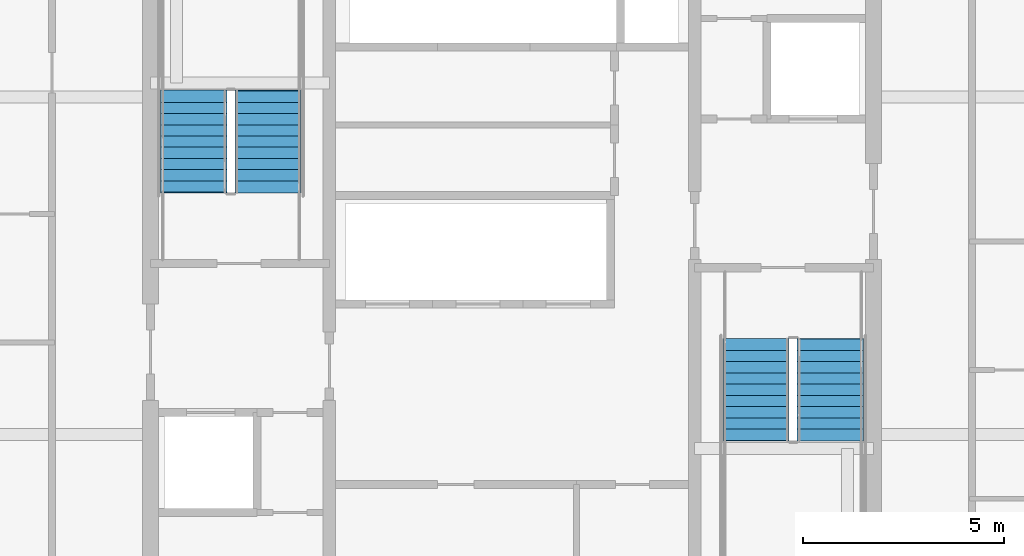
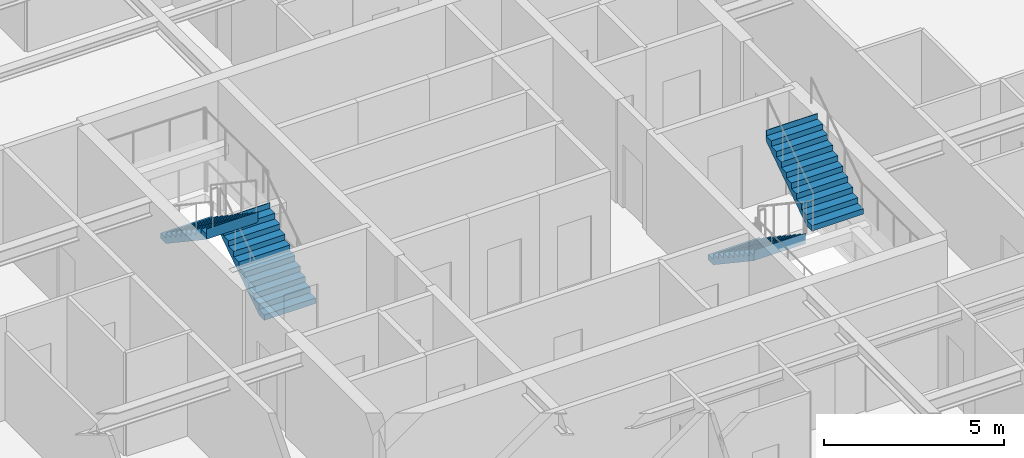
# One storey, part 29 of 34: 4 stair flights, 2 elements without a shape of their own.
"""IFC4 building model written with IfcOpenShell, lengths in metres."""

from ifc_helpers import new_model, si_unit, direction, frame, origin, place, context, subcontext, project, spatial, polygons, material, type_object, element, aggregate, save


model = new_model("IFC4")

# Units and contexts
model_context = context("Model", 3, precision=1e-05, world=origin(), true_north=direction((0.0, 1.0)))
body_context = subcontext(model_context, "Body", "Model", "MODEL_VIEW")
ifc_project = project(units=[si_unit("LENGTHUNIT", "METRE"), si_unit("AREAUNIT", "SQUARE_METRE"), si_unit("VOLUMEUNIT", "CUBIC_METRE"), si_unit("PLANEANGLEUNIT", "RADIAN"), si_unit("MASSUNIT", "GRAM", prefix="KILO")], contexts=[model_context])

# Site, building, storey
site_placement = place(None, origin())
site = spatial("IfcSite", under=ifc_project, at=site_placement, CompositionType="ELEMENT")
building_placement = place(site_placement, origin())
building = spatial("IfcBuilding", under=site, at=building_placement, Name="Serunith Strait Residences", CompositionType="ELEMENT")
storey_placement = place(building_placement, frame((0.0, 0.0, 135.14990234375)))
storey = spatial("IfcBuildingStorey", under=building, at=storey_placement, Name="L33", CompositionType="ELEMENT", Elevation=135.14990234375)

# Stair, stair flights
ifc_material = material(Name="Concrete C50/60", Category="concrete")
stair_type_1 = type_object("IfcStairType", Name="STR-CORE-1", PredefinedType="HALF_TURN_STAIR", material=ifc_material)
stair_1_placement = place(storey_placement, origin())
stair_1 = element("IfcStair", 1, at=stair_1_placement, inside=storey, type_object=stair_type_1, Name="L33 Protected Escape Stair ST-1", PredefinedType="HALF_TURN_STAIR")
stair_flight_type_1 = type_object("IfcStairFlightType", Name="FLT-CORE-1", PredefinedType="STRAIGHT", material=ifc_material)
stair_flight_1_placement = place(storey_placement, frame((26.324951171875, 27.030029296875, 0.0), z_axis=(0.0, 0.0, 1.0), x_axis=(0.0, 1.0, 0.0)))
stair_flight_1 = element("IfcStairFlight", 2, at=stair_flight_1_placement, type_object=stair_flight_type_1, Name="ST-1 flight 1", NumberOfRisers=10, NumberOfTreads=9, PredefinedType="STRAIGHT", RiserHeight=0.1875, TreadLength=0.28, context=body_context, shape_type="Tessellation", body=[
    polygons([(-0.02001953125, -0.824951171875, 0.0), (-0.02001953125, -0.824951171875, 0.1875), (0.280029296875, -0.824951171875, 0.1875), (0.280029296875, -0.824951171875, 0.375), (0.56005859375, -0.824951171875, 0.375), (0.56005859375, -0.824951171875, 0.5625), (0.840087890625, -0.824951171875, 0.5625), (0.840087890625, -0.824951171875, 0.75), (1.1201171875, -0.824951171875, 0.75), (1.1201171875, -0.824951171875, 0.9375), (1.39990234375, -0.824951171875, 0.9375), (1.39990234375, -0.824951171875, 1.125), (1.679931640625, -0.824951171875, 1.125), (1.679931640625, -0.824951171875, 1.3125), (1.9599609375, -0.824951171875, 1.3125), (1.9599609375, -0.824951171875, 1.5), (2.239990234375, -0.824951171875, 1.5), (2.239990234375, -0.824951171875, 1.6875), (2.52001953125, -0.824951171875, 1.6875), (2.52001953125, -0.824951171875, 1.875), (2.5400390625, -0.824951171875, 1.875), (2.5400390625, -0.824951171875, 1.81494140625), (2.52001953125, -0.824951171875, 1.507080078125), (0.26953125, -0.824951171875, 0.0), (-0.02001953125, -0.41259765625, 0.0), (-0.02001953125, -0.41259765625, 0.1875), (0.280029296875, -0.41259765625, 0.1875), (0.280029296875, -0.41259765625, 0.375), (0.56005859375, -0.41259765625, 0.375), (0.56005859375, -0.41259765625, 0.5625), (0.840087890625, -0.41259765625, 0.5625), (0.840087890625, -0.41259765625, 0.75), (1.1201171875, -0.41259765625, 0.75), (1.1201171875, -0.41259765625, 0.9375), (1.39990234375, -0.41259765625, 0.9375), (1.39990234375, -0.41259765625, 1.125), (1.679931640625, -0.41259765625, 1.125), (1.679931640625, -0.41259765625, 1.3125), (1.9599609375, -0.41259765625, 1.3125), (1.9599609375, -0.41259765625, 1.5), (2.239990234375, -0.41259765625, 1.5), (2.239990234375, -0.41259765625, 1.6875), (2.52001953125, -0.41259765625, 1.6875), (2.52001953125, -0.41259765625, 1.875), (2.5400390625, -0.41259765625, 1.875), (2.5400390625, -0.41259765625, 1.81494140625), (2.52001953125, -0.41259765625, 1.507080078125), (0.26953125, -0.41259765625, 0.0), (-0.02001953125, 0.0, 0.0), (-0.02001953125, 0.0, 0.1875), (0.280029296875, 0.0, 0.1875), (0.280029296875, 0.0, 0.375), (0.56005859375, 0.0, 0.375), (0.56005859375, 0.0, 0.5625), (0.840087890625, 0.0, 0.5625), (0.840087890625, 0.0, 0.75), (1.1201171875, 0.0, 0.75), (1.1201171875, 0.0, 0.9375), (1.39990234375, 0.0, 0.9375), (1.39990234375, 0.0, 1.125), (1.679931640625, 0.0, 1.125), (1.679931640625, 0.0, 1.3125), (1.9599609375, 0.0, 1.3125), (1.9599609375, 0.0, 1.5), (2.239990234375, 0.0, 1.5), (2.239990234375, 0.0, 1.6875), (2.52001953125, 0.0, 1.6875), (2.52001953125, 0.0, 1.875), (2.5400390625, 0.0, 1.875), (2.5400390625, 0.0, 1.81494140625), (2.52001953125, 0.0, 1.507080078125), (0.26953125, 0.0, 0.0), (-0.02001953125, 0.41259765625, 0.0), (-0.02001953125, 0.41259765625, 0.1875), (0.280029296875, 0.41259765625, 0.1875), (0.280029296875, 0.41259765625, 0.375), (0.56005859375, 0.41259765625, 0.375), (0.56005859375, 0.41259765625, 0.5625), (0.840087890625, 0.41259765625, 0.5625), (0.840087890625, 0.41259765625, 0.75), (1.1201171875, 0.41259765625, 0.75), (1.1201171875, 0.41259765625, 0.9375), (1.39990234375, 0.41259765625, 0.9375), (1.39990234375, 0.41259765625, 1.125), (1.679931640625, 0.41259765625, 1.125), (1.679931640625, 0.41259765625, 1.3125), (1.9599609375, 0.41259765625, 1.3125), (1.9599609375, 0.41259765625, 1.5), (2.239990234375, 0.41259765625, 1.5), (2.239990234375, 0.41259765625, 1.6875), (2.52001953125, 0.41259765625, 1.6875), (2.52001953125, 0.41259765625, 1.875), (2.5400390625, 0.41259765625, 1.875), (2.5400390625, 0.41259765625, 1.81494140625), (2.52001953125, 0.41259765625, 1.507080078125), (0.26953125, 0.41259765625, 0.0), (-0.02001953125, 0.824951171875, 0.0), (-0.02001953125, 0.824951171875, 0.1875), (0.280029296875, 0.824951171875, 0.1875), (0.280029296875, 0.824951171875, 0.375), (0.56005859375, 0.824951171875, 0.375), (0.56005859375, 0.824951171875, 0.5625), (0.840087890625, 0.824951171875, 0.5625), (0.840087890625, 0.824951171875, 0.75), (1.1201171875, 0.824951171875, 0.75), (1.1201171875, 0.824951171875, 0.9375), (1.39990234375, 0.824951171875, 0.9375), (1.39990234375, 0.824951171875, 1.125), (1.679931640625, 0.824951171875, 1.125), (1.679931640625, 0.824951171875, 1.3125), (1.9599609375, 0.824951171875, 1.3125), (1.9599609375, 0.824951171875, 1.5), (2.239990234375, 0.824951171875, 1.5), (2.239990234375, 0.824951171875, 1.6875), (2.52001953125, 0.824951171875, 1.6875), (2.52001953125, 0.824951171875, 1.875), (2.5400390625, 0.824951171875, 1.875), (2.5400390625, 0.824951171875, 1.81494140625), (2.52001953125, 0.824951171875, 1.507080078125), (0.26953125, 0.824951171875, 0.0)], [[[1, 2, 26, 25]], [[2, 3, 27, 26]], [[3, 4, 28, 27]], [[4, 5, 29, 28]], [[5, 6, 30, 29]], [[6, 7, 31, 30]], [[7, 8, 32, 31]], [[8, 9, 33, 32]], [[9, 10, 34, 33]], [[10, 11, 35, 34]], [[11, 12, 36, 35]], [[12, 13, 37, 36]], [[13, 14, 38, 37]], [[14, 15, 39, 38]], [[15, 16, 40, 39]], [[16, 17, 41, 40]], [[17, 18, 42, 41]], [[18, 19, 43, 42]], [[19, 20, 44, 43]], [[20, 21, 45, 44]], [[21, 22, 46, 45]], [[22, 23, 47, 46]], [[23, 24, 48, 47]], [[24, 1, 25, 48]], [[25, 26, 50, 49]], [[26, 27, 51, 50]], [[27, 28, 52, 51]], [[28, 29, 53, 52]], [[29, 30, 54, 53]], [[30, 31, 55, 54]], [[31, 32, 56, 55]], [[32, 33, 57, 56]], [[33, 34, 58, 57]], [[34, 35, 59, 58]], [[35, 36, 60, 59]], [[36, 37, 61, 60]], [[37, 38, 62, 61]], [[38, 39, 63, 62]], [[39, 40, 64, 63]], [[40, 41, 65, 64]], [[41, 42, 66, 65]], [[42, 43, 67, 66]], [[43, 44, 68, 67]], [[44, 45, 69, 68]], [[45, 46, 70, 69]], [[46, 47, 71, 70]], [[47, 48, 72, 71]], [[48, 25, 49, 72]], [[49, 50, 74, 73]], [[50, 51, 75, 74]], [[51, 52, 76, 75]], [[52, 53, 77, 76]], [[53, 54, 78, 77]], [[54, 55, 79, 78]], [[55, 56, 80, 79]], [[56, 57, 81, 80]], [[57, 58, 82, 81]], [[58, 59, 83, 82]], [[59, 60, 84, 83]], [[60, 61, 85, 84]], [[61, 62, 86, 85]], [[62, 63, 87, 86]], [[63, 64, 88, 87]], [[64, 65, 89, 88]], [[65, 66, 90, 89]], [[66, 67, 91, 90]], [[67, 68, 92, 91]], [[68, 69, 93, 92]], [[69, 70, 94, 93]], [[70, 71, 95, 94]], [[71, 72, 96, 95]], [[72, 49, 73, 96]], [[73, 74, 98, 97]], [[74, 75, 99, 98]], [[75, 76, 100, 99]], [[76, 77, 101, 100]], [[77, 78, 102, 101]], [[78, 79, 103, 102]], [[79, 80, 104, 103]], [[80, 81, 105, 104]], [[81, 82, 106, 105]], [[82, 83, 107, 106]], [[83, 84, 108, 107]], [[84, 85, 109, 108]], [[85, 86, 110, 109]], [[86, 87, 111, 110]], [[87, 88, 112, 111]], [[88, 89, 113, 112]], [[89, 90, 114, 113]], [[90, 91, 115, 114]], [[91, 92, 116, 115]], [[92, 93, 117, 116]], [[93, 94, 118, 117]], [[94, 95, 119, 118]], [[95, 96, 120, 119]], [[96, 73, 97, 120]], [[24, 23, 22, 21, 20, 19, 18, 17, 16, 15, 14, 13, 12, 11, 10, 9, 8, 7, 6, 5, 4, 3, 2, 1]], [[97, 98, 99, 100, 101, 102, 103, 104, 105, 106, 107, 108, 109, 110, 111, 112, 113, 114, 115, 116, 117, 118, 119, 120]]], closed=True),
])
stair_flight_2_placement = place(storey_placement, frame((24.47509765625, 29.550048828125, 1.875), z_axis=(0.0, 0.0, 1.0), x_axis=(0.0, -1.0, 0.0)))
stair_flight_2 = element("IfcStairFlight", 3, at=stair_flight_2_placement, type_object=stair_flight_type_1, Name="ST-1 flight 2", NumberOfRisers=10, NumberOfTreads=9, PredefinedType="STRAIGHT", RiserHeight=0.1875, TreadLength=0.28, context=body_context, shape_type="Tessellation", body=[
    polygons([(-0.02001953125, -0.824951171875, 0.0), (-0.02001953125, -0.824951171875, 0.1875), (0.280029296875, -0.824951171875, 0.1875), (0.280029296875, -0.824951171875, 0.375), (0.56005859375, -0.824951171875, 0.375), (0.56005859375, -0.824951171875, 0.5625), (0.840087890625, -0.824951171875, 0.5625), (0.840087890625, -0.824951171875, 0.75), (1.1201171875, -0.824951171875, 0.75), (1.1201171875, -0.824951171875, 0.9375), (1.39990234375, -0.824951171875, 0.9375), (1.39990234375, -0.824951171875, 1.125), (1.679931640625, -0.824951171875, 1.125), (1.679931640625, -0.824951171875, 1.3125), (1.9599609375, -0.824951171875, 1.3125), (1.9599609375, -0.824951171875, 1.5), (2.239990234375, -0.824951171875, 1.5), (2.239990234375, -0.824951171875, 1.6875), (2.52001953125, -0.824951171875, 1.6875), (2.52001953125, -0.824951171875, 1.875), (2.5400390625, -0.824951171875, 1.875), (2.5400390625, -0.824951171875, 1.81494140625), (2.52001953125, -0.824951171875, 1.507080078125), (0.26953125, -0.824951171875, 0.0), (-0.02001953125, -0.41259765625, 0.0), (-0.02001953125, -0.41259765625, 0.1875), (0.280029296875, -0.41259765625, 0.1875), (0.280029296875, -0.41259765625, 0.375), (0.56005859375, -0.41259765625, 0.375), (0.56005859375, -0.41259765625, 0.5625), (0.840087890625, -0.41259765625, 0.5625), (0.840087890625, -0.41259765625, 0.75), (1.1201171875, -0.41259765625, 0.75), (1.1201171875, -0.41259765625, 0.9375), (1.39990234375, -0.41259765625, 0.9375), (1.39990234375, -0.41259765625, 1.125), (1.679931640625, -0.41259765625, 1.125), (1.679931640625, -0.41259765625, 1.3125), (1.9599609375, -0.41259765625, 1.3125), (1.9599609375, -0.41259765625, 1.5), (2.239990234375, -0.41259765625, 1.5), (2.239990234375, -0.41259765625, 1.6875), (2.52001953125, -0.41259765625, 1.6875), (2.52001953125, -0.41259765625, 1.875), (2.5400390625, -0.41259765625, 1.875), (2.5400390625, -0.41259765625, 1.81494140625), (2.52001953125, -0.41259765625, 1.507080078125), (0.26953125, -0.41259765625, 0.0), (-0.02001953125, 0.0, 0.0), (-0.02001953125, 0.0, 0.1875), (0.280029296875, 0.0, 0.1875), (0.280029296875, 0.0, 0.375), (0.56005859375, 0.0, 0.375), (0.56005859375, 0.0, 0.5625), (0.840087890625, 0.0, 0.5625), (0.840087890625, 0.0, 0.75), (1.1201171875, 0.0, 0.75), (1.1201171875, 0.0, 0.9375), (1.39990234375, 0.0, 0.9375), (1.39990234375, 0.0, 1.125), (1.679931640625, 0.0, 1.125), (1.679931640625, 0.0, 1.3125), (1.9599609375, 0.0, 1.3125), (1.9599609375, 0.0, 1.5), (2.239990234375, 0.0, 1.5), (2.239990234375, 0.0, 1.6875), (2.52001953125, 0.0, 1.6875), (2.52001953125, 0.0, 1.875), (2.5400390625, 0.0, 1.875), (2.5400390625, 0.0, 1.81494140625), (2.52001953125, 0.0, 1.507080078125), (0.26953125, 0.0, 0.0), (-0.02001953125, 0.41259765625, 0.0), (-0.02001953125, 0.41259765625, 0.1875), (0.280029296875, 0.41259765625, 0.1875), (0.280029296875, 0.41259765625, 0.375), (0.56005859375, 0.41259765625, 0.375), (0.56005859375, 0.41259765625, 0.5625), (0.840087890625, 0.41259765625, 0.5625), (0.840087890625, 0.41259765625, 0.75), (1.1201171875, 0.41259765625, 0.75), (1.1201171875, 0.41259765625, 0.9375), (1.39990234375, 0.41259765625, 0.9375), (1.39990234375, 0.41259765625, 1.125), (1.679931640625, 0.41259765625, 1.125), (1.679931640625, 0.41259765625, 1.3125), (1.9599609375, 0.41259765625, 1.3125), (1.9599609375, 0.41259765625, 1.5), (2.239990234375, 0.41259765625, 1.5), (2.239990234375, 0.41259765625, 1.6875), (2.52001953125, 0.41259765625, 1.6875), (2.52001953125, 0.41259765625, 1.875), (2.5400390625, 0.41259765625, 1.875), (2.5400390625, 0.41259765625, 1.81494140625), (2.52001953125, 0.41259765625, 1.507080078125), (0.26953125, 0.41259765625, 0.0), (-0.02001953125, 0.824951171875, 0.0), (-0.02001953125, 0.824951171875, 0.1875), (0.280029296875, 0.824951171875, 0.1875), (0.280029296875, 0.824951171875, 0.375), (0.56005859375, 0.824951171875, 0.375), (0.56005859375, 0.824951171875, 0.5625), (0.840087890625, 0.824951171875, 0.5625), (0.840087890625, 0.824951171875, 0.75), (1.1201171875, 0.824951171875, 0.75), (1.1201171875, 0.824951171875, 0.9375), (1.39990234375, 0.824951171875, 0.9375), (1.39990234375, 0.824951171875, 1.125), (1.679931640625, 0.824951171875, 1.125), (1.679931640625, 0.824951171875, 1.3125), (1.9599609375, 0.824951171875, 1.3125), (1.9599609375, 0.824951171875, 1.5), (2.239990234375, 0.824951171875, 1.5), (2.239990234375, 0.824951171875, 1.6875), (2.52001953125, 0.824951171875, 1.6875), (2.52001953125, 0.824951171875, 1.875), (2.5400390625, 0.824951171875, 1.875), (2.5400390625, 0.824951171875, 1.81494140625), (2.52001953125, 0.824951171875, 1.507080078125), (0.26953125, 0.824951171875, 0.0)], [[[1, 2, 26, 25]], [[2, 3, 27, 26]], [[3, 4, 28, 27]], [[4, 5, 29, 28]], [[5, 6, 30, 29]], [[6, 7, 31, 30]], [[7, 8, 32, 31]], [[8, 9, 33, 32]], [[9, 10, 34, 33]], [[10, 11, 35, 34]], [[11, 12, 36, 35]], [[12, 13, 37, 36]], [[13, 14, 38, 37]], [[14, 15, 39, 38]], [[15, 16, 40, 39]], [[16, 17, 41, 40]], [[17, 18, 42, 41]], [[18, 19, 43, 42]], [[19, 20, 44, 43]], [[20, 21, 45, 44]], [[21, 22, 46, 45]], [[22, 23, 47, 46]], [[23, 24, 48, 47]], [[24, 1, 25, 48]], [[25, 26, 50, 49]], [[26, 27, 51, 50]], [[27, 28, 52, 51]], [[28, 29, 53, 52]], [[29, 30, 54, 53]], [[30, 31, 55, 54]], [[31, 32, 56, 55]], [[32, 33, 57, 56]], [[33, 34, 58, 57]], [[34, 35, 59, 58]], [[35, 36, 60, 59]], [[36, 37, 61, 60]], [[37, 38, 62, 61]], [[38, 39, 63, 62]], [[39, 40, 64, 63]], [[40, 41, 65, 64]], [[41, 42, 66, 65]], [[42, 43, 67, 66]], [[43, 44, 68, 67]], [[44, 45, 69, 68]], [[45, 46, 70, 69]], [[46, 47, 71, 70]], [[47, 48, 72, 71]], [[48, 25, 49, 72]], [[49, 50, 74, 73]], [[50, 51, 75, 74]], [[51, 52, 76, 75]], [[52, 53, 77, 76]], [[53, 54, 78, 77]], [[54, 55, 79, 78]], [[55, 56, 80, 79]], [[56, 57, 81, 80]], [[57, 58, 82, 81]], [[58, 59, 83, 82]], [[59, 60, 84, 83]], [[60, 61, 85, 84]], [[61, 62, 86, 85]], [[62, 63, 87, 86]], [[63, 64, 88, 87]], [[64, 65, 89, 88]], [[65, 66, 90, 89]], [[66, 67, 91, 90]], [[67, 68, 92, 91]], [[68, 69, 93, 92]], [[69, 70, 94, 93]], [[70, 71, 95, 94]], [[71, 72, 96, 95]], [[72, 49, 73, 96]], [[73, 74, 98, 97]], [[74, 75, 99, 98]], [[75, 76, 100, 99]], [[76, 77, 101, 100]], [[77, 78, 102, 101]], [[78, 79, 103, 102]], [[79, 80, 104, 103]], [[80, 81, 105, 104]], [[81, 82, 106, 105]], [[82, 83, 107, 106]], [[83, 84, 108, 107]], [[84, 85, 109, 108]], [[85, 86, 110, 109]], [[86, 87, 111, 110]], [[87, 88, 112, 111]], [[88, 89, 113, 112]], [[89, 90, 114, 113]], [[90, 91, 115, 114]], [[91, 92, 116, 115]], [[92, 93, 117, 116]], [[93, 94, 118, 117]], [[94, 95, 119, 118]], [[95, 96, 120, 119]], [[96, 73, 97, 120]], [[24, 23, 22, 21, 20, 19, 18, 17, 16, 15, 14, 13, 12, 11, 10, 9, 8, 7, 6, 5, 4, 3, 2, 1]], [[97, 98, 99, 100, 101, 102, 103, 104, 105, 106, 107, 108, 109, 110, 111, 112, 113, 114, 115, 116, 117, 118, 119, 120]]], closed=True),
])
aggregate(stair_1, [stair_flight_1, stair_flight_2])

stair_type_2 = type_object("IfcStairType", Name="STR-CORE-2", PredefinedType="HALF_TURN_STAIR", material=ifc_material)
stair_2_placement = place(storey_placement, origin())
stair_2 = element("IfcStair", 4, at=stair_2_placement, inside=storey, type_object=stair_type_2, Name="L33 Protected Escape Stair ST-2", PredefinedType="HALF_TURN_STAIR")
stair_flight_type_2 = type_object("IfcStairFlightType", Name="FLT-CORE-2", PredefinedType="STRAIGHT", material=ifc_material)
stair_flight_3_placement = place(storey_placement, frame((38.47509765625, 23.3701171875, 0.0), z_axis=(0.0, 0.0, 1.0), x_axis=(0.0, -1.0, 0.0)))
stair_flight_3 = element("IfcStairFlight", 5, at=stair_flight_3_placement, type_object=stair_flight_type_2, Name="ST-2 flight 1", NumberOfRisers=10, NumberOfTreads=9, PredefinedType="STRAIGHT", RiserHeight=0.1875, TreadLength=0.28, context=body_context, shape_type="Tessellation", body=[
    polygons([(-0.02001953125, -0.824951171875, 0.0), (-0.02001953125, -0.824951171875, 0.1875), (0.280029296875, -0.824951171875, 0.1875), (0.280029296875, -0.824951171875, 0.375), (0.56005859375, -0.824951171875, 0.375), (0.56005859375, -0.824951171875, 0.5625), (0.840087890625, -0.824951171875, 0.5625), (0.840087890625, -0.824951171875, 0.75), (1.1201171875, -0.824951171875, 0.75), (1.1201171875, -0.824951171875, 0.9375), (1.39990234375, -0.824951171875, 0.9375), (1.39990234375, -0.824951171875, 1.125), (1.679931640625, -0.824951171875, 1.125), (1.679931640625, -0.824951171875, 1.3125), (1.9599609375, -0.824951171875, 1.3125), (1.9599609375, -0.824951171875, 1.5), (2.239990234375, -0.824951171875, 1.5), (2.239990234375, -0.824951171875, 1.6875), (2.52001953125, -0.824951171875, 1.6875), (2.52001953125, -0.824951171875, 1.875), (2.5400390625, -0.824951171875, 1.875), (2.5400390625, -0.824951171875, 1.81494140625), (2.52001953125, -0.824951171875, 1.507080078125), (0.26953125, -0.824951171875, 0.0), (-0.02001953125, -0.41259765625, 0.0), (-0.02001953125, -0.41259765625, 0.1875), (0.280029296875, -0.41259765625, 0.1875), (0.280029296875, -0.41259765625, 0.375), (0.56005859375, -0.41259765625, 0.375), (0.56005859375, -0.41259765625, 0.5625), (0.840087890625, -0.41259765625, 0.5625), (0.840087890625, -0.41259765625, 0.75), (1.1201171875, -0.41259765625, 0.75), (1.1201171875, -0.41259765625, 0.9375), (1.39990234375, -0.41259765625, 0.9375), (1.39990234375, -0.41259765625, 1.125), (1.679931640625, -0.41259765625, 1.125), (1.679931640625, -0.41259765625, 1.3125), (1.9599609375, -0.41259765625, 1.3125), (1.9599609375, -0.41259765625, 1.5), (2.239990234375, -0.41259765625, 1.5), (2.239990234375, -0.41259765625, 1.6875), (2.52001953125, -0.41259765625, 1.6875), (2.52001953125, -0.41259765625, 1.875), (2.5400390625, -0.41259765625, 1.875), (2.5400390625, -0.41259765625, 1.81494140625), (2.52001953125, -0.41259765625, 1.507080078125), (0.26953125, -0.41259765625, 0.0), (-0.02001953125, 0.0, 0.0), (-0.02001953125, 0.0, 0.1875), (0.280029296875, 0.0, 0.1875), (0.280029296875, 0.0, 0.375), (0.56005859375, 0.0, 0.375), (0.56005859375, 0.0, 0.5625), (0.840087890625, 0.0, 0.5625), (0.840087890625, 0.0, 0.75), (1.1201171875, 0.0, 0.75), (1.1201171875, 0.0, 0.9375), (1.39990234375, 0.0, 0.9375), (1.39990234375, 0.0, 1.125), (1.679931640625, 0.0, 1.125), (1.679931640625, 0.0, 1.3125), (1.9599609375, 0.0, 1.3125), (1.9599609375, 0.0, 1.5), (2.239990234375, 0.0, 1.5), (2.239990234375, 0.0, 1.6875), (2.52001953125, 0.0, 1.6875), (2.52001953125, 0.0, 1.875), (2.5400390625, 0.0, 1.875), (2.5400390625, 0.0, 1.81494140625), (2.52001953125, 0.0, 1.507080078125), (0.26953125, 0.0, 0.0), (-0.02001953125, 0.41259765625, 0.0), (-0.02001953125, 0.41259765625, 0.1875), (0.280029296875, 0.41259765625, 0.1875), (0.280029296875, 0.41259765625, 0.375), (0.56005859375, 0.41259765625, 0.375), (0.56005859375, 0.41259765625, 0.5625), (0.840087890625, 0.41259765625, 0.5625), (0.840087890625, 0.41259765625, 0.75), (1.1201171875, 0.41259765625, 0.75), (1.1201171875, 0.41259765625, 0.9375), (1.39990234375, 0.41259765625, 0.9375), (1.39990234375, 0.41259765625, 1.125), (1.679931640625, 0.41259765625, 1.125), (1.679931640625, 0.41259765625, 1.3125), (1.9599609375, 0.41259765625, 1.3125), (1.9599609375, 0.41259765625, 1.5), (2.239990234375, 0.41259765625, 1.5), (2.239990234375, 0.41259765625, 1.6875), (2.52001953125, 0.41259765625, 1.6875), (2.52001953125, 0.41259765625, 1.875), (2.5400390625, 0.41259765625, 1.875), (2.5400390625, 0.41259765625, 1.81494140625), (2.52001953125, 0.41259765625, 1.507080078125), (0.26953125, 0.41259765625, 0.0), (-0.02001953125, 0.824951171875, 0.0), (-0.02001953125, 0.824951171875, 0.1875), (0.280029296875, 0.824951171875, 0.1875), (0.280029296875, 0.824951171875, 0.375), (0.56005859375, 0.824951171875, 0.375), (0.56005859375, 0.824951171875, 0.5625), (0.840087890625, 0.824951171875, 0.5625), (0.840087890625, 0.824951171875, 0.75), (1.1201171875, 0.824951171875, 0.75), (1.1201171875, 0.824951171875, 0.9375), (1.39990234375, 0.824951171875, 0.9375), (1.39990234375, 0.824951171875, 1.125), (1.679931640625, 0.824951171875, 1.125), (1.679931640625, 0.824951171875, 1.3125), (1.9599609375, 0.824951171875, 1.3125), (1.9599609375, 0.824951171875, 1.5), (2.239990234375, 0.824951171875, 1.5), (2.239990234375, 0.824951171875, 1.6875), (2.52001953125, 0.824951171875, 1.6875), (2.52001953125, 0.824951171875, 1.875), (2.5400390625, 0.824951171875, 1.875), (2.5400390625, 0.824951171875, 1.81494140625), (2.52001953125, 0.824951171875, 1.507080078125), (0.26953125, 0.824951171875, 0.0)], [[[1, 2, 26, 25]], [[2, 3, 27, 26]], [[3, 4, 28, 27]], [[4, 5, 29, 28]], [[5, 6, 30, 29]], [[6, 7, 31, 30]], [[7, 8, 32, 31]], [[8, 9, 33, 32]], [[9, 10, 34, 33]], [[10, 11, 35, 34]], [[11, 12, 36, 35]], [[12, 13, 37, 36]], [[13, 14, 38, 37]], [[14, 15, 39, 38]], [[15, 16, 40, 39]], [[16, 17, 41, 40]], [[17, 18, 42, 41]], [[18, 19, 43, 42]], [[19, 20, 44, 43]], [[20, 21, 45, 44]], [[21, 22, 46, 45]], [[22, 23, 47, 46]], [[23, 24, 48, 47]], [[24, 1, 25, 48]], [[25, 26, 50, 49]], [[26, 27, 51, 50]], [[27, 28, 52, 51]], [[28, 29, 53, 52]], [[29, 30, 54, 53]], [[30, 31, 55, 54]], [[31, 32, 56, 55]], [[32, 33, 57, 56]], [[33, 34, 58, 57]], [[34, 35, 59, 58]], [[35, 36, 60, 59]], [[36, 37, 61, 60]], [[37, 38, 62, 61]], [[38, 39, 63, 62]], [[39, 40, 64, 63]], [[40, 41, 65, 64]], [[41, 42, 66, 65]], [[42, 43, 67, 66]], [[43, 44, 68, 67]], [[44, 45, 69, 68]], [[45, 46, 70, 69]], [[46, 47, 71, 70]], [[47, 48, 72, 71]], [[48, 25, 49, 72]], [[49, 50, 74, 73]], [[50, 51, 75, 74]], [[51, 52, 76, 75]], [[52, 53, 77, 76]], [[53, 54, 78, 77]], [[54, 55, 79, 78]], [[55, 56, 80, 79]], [[56, 57, 81, 80]], [[57, 58, 82, 81]], [[58, 59, 83, 82]], [[59, 60, 84, 83]], [[60, 61, 85, 84]], [[61, 62, 86, 85]], [[62, 63, 87, 86]], [[63, 64, 88, 87]], [[64, 65, 89, 88]], [[65, 66, 90, 89]], [[66, 67, 91, 90]], [[67, 68, 92, 91]], [[68, 69, 93, 92]], [[69, 70, 94, 93]], [[70, 71, 95, 94]], [[71, 72, 96, 95]], [[72, 49, 73, 96]], [[73, 74, 98, 97]], [[74, 75, 99, 98]], [[75, 76, 100, 99]], [[76, 77, 101, 100]], [[77, 78, 102, 101]], [[78, 79, 103, 102]], [[79, 80, 104, 103]], [[80, 81, 105, 104]], [[81, 82, 106, 105]], [[82, 83, 107, 106]], [[83, 84, 108, 107]], [[84, 85, 109, 108]], [[85, 86, 110, 109]], [[86, 87, 111, 110]], [[87, 88, 112, 111]], [[88, 89, 113, 112]], [[89, 90, 114, 113]], [[90, 91, 115, 114]], [[91, 92, 116, 115]], [[92, 93, 117, 116]], [[93, 94, 118, 117]], [[94, 95, 119, 118]], [[95, 96, 120, 119]], [[96, 73, 97, 120]], [[24, 23, 22, 21, 20, 19, 18, 17, 16, 15, 14, 13, 12, 11, 10, 9, 8, 7, 6, 5, 4, 3, 2, 1]], [[97, 98, 99, 100, 101, 102, 103, 104, 105, 106, 107, 108, 109, 110, 111, 112, 113, 114, 115, 116, 117, 118, 119, 120]]], closed=True),
])
stair_flight_4_placement = place(storey_placement, frame((40.324951171875, 20.85009765625, 1.875), z_axis=(0.0, 0.0, 1.0), x_axis=(0.0, 1.0, 0.0)))
stair_flight_4 = element("IfcStairFlight", 6, at=stair_flight_4_placement, type_object=stair_flight_type_2, Name="ST-2 flight 2", NumberOfRisers=10, NumberOfTreads=9, PredefinedType="STRAIGHT", RiserHeight=0.1875, TreadLength=0.28, context=body_context, shape_type="Tessellation", body=[
    polygons([(-0.02001953125, -0.824951171875, 0.0), (-0.02001953125, -0.824951171875, 0.1875), (0.280029296875, -0.824951171875, 0.1875), (0.280029296875, -0.824951171875, 0.375), (0.56005859375, -0.824951171875, 0.375), (0.56005859375, -0.824951171875, 0.5625), (0.840087890625, -0.824951171875, 0.5625), (0.840087890625, -0.824951171875, 0.75), (1.1201171875, -0.824951171875, 0.75), (1.1201171875, -0.824951171875, 0.9375), (1.39990234375, -0.824951171875, 0.9375), (1.39990234375, -0.824951171875, 1.125), (1.679931640625, -0.824951171875, 1.125), (1.679931640625, -0.824951171875, 1.3125), (1.9599609375, -0.824951171875, 1.3125), (1.9599609375, -0.824951171875, 1.5), (2.239990234375, -0.824951171875, 1.5), (2.239990234375, -0.824951171875, 1.6875), (2.52001953125, -0.824951171875, 1.6875), (2.52001953125, -0.824951171875, 1.875), (2.5400390625, -0.824951171875, 1.875), (2.5400390625, -0.824951171875, 1.81494140625), (2.52001953125, -0.824951171875, 1.507080078125), (0.26953125, -0.824951171875, 0.0), (-0.02001953125, -0.41259765625, 0.0), (-0.02001953125, -0.41259765625, 0.1875), (0.280029296875, -0.41259765625, 0.1875), (0.280029296875, -0.41259765625, 0.375), (0.56005859375, -0.41259765625, 0.375), (0.56005859375, -0.41259765625, 0.5625), (0.840087890625, -0.41259765625, 0.5625), (0.840087890625, -0.41259765625, 0.75), (1.1201171875, -0.41259765625, 0.75), (1.1201171875, -0.41259765625, 0.9375), (1.39990234375, -0.41259765625, 0.9375), (1.39990234375, -0.41259765625, 1.125), (1.679931640625, -0.41259765625, 1.125), (1.679931640625, -0.41259765625, 1.3125), (1.9599609375, -0.41259765625, 1.3125), (1.9599609375, -0.41259765625, 1.5), (2.239990234375, -0.41259765625, 1.5), (2.239990234375, -0.41259765625, 1.6875), (2.52001953125, -0.41259765625, 1.6875), (2.52001953125, -0.41259765625, 1.875), (2.5400390625, -0.41259765625, 1.875), (2.5400390625, -0.41259765625, 1.81494140625), (2.52001953125, -0.41259765625, 1.507080078125), (0.26953125, -0.41259765625, 0.0), (-0.02001953125, 0.0, 0.0), (-0.02001953125, 0.0, 0.1875), (0.280029296875, 0.0, 0.1875), (0.280029296875, 0.0, 0.375), (0.56005859375, 0.0, 0.375), (0.56005859375, 0.0, 0.5625), (0.840087890625, 0.0, 0.5625), (0.840087890625, 0.0, 0.75), (1.1201171875, 0.0, 0.75), (1.1201171875, 0.0, 0.9375), (1.39990234375, 0.0, 0.9375), (1.39990234375, 0.0, 1.125), (1.679931640625, 0.0, 1.125), (1.679931640625, 0.0, 1.3125), (1.9599609375, 0.0, 1.3125), (1.9599609375, 0.0, 1.5), (2.239990234375, 0.0, 1.5), (2.239990234375, 0.0, 1.6875), (2.52001953125, 0.0, 1.6875), (2.52001953125, 0.0, 1.875), (2.5400390625, 0.0, 1.875), (2.5400390625, 0.0, 1.81494140625), (2.52001953125, 0.0, 1.507080078125), (0.26953125, 0.0, 0.0), (-0.02001953125, 0.41259765625, 0.0), (-0.02001953125, 0.41259765625, 0.1875), (0.280029296875, 0.41259765625, 0.1875), (0.280029296875, 0.41259765625, 0.375), (0.56005859375, 0.41259765625, 0.375), (0.56005859375, 0.41259765625, 0.5625), (0.840087890625, 0.41259765625, 0.5625), (0.840087890625, 0.41259765625, 0.75), (1.1201171875, 0.41259765625, 0.75), (1.1201171875, 0.41259765625, 0.9375), (1.39990234375, 0.41259765625, 0.9375), (1.39990234375, 0.41259765625, 1.125), (1.679931640625, 0.41259765625, 1.125), (1.679931640625, 0.41259765625, 1.3125), (1.9599609375, 0.41259765625, 1.3125), (1.9599609375, 0.41259765625, 1.5), (2.239990234375, 0.41259765625, 1.5), (2.239990234375, 0.41259765625, 1.6875), (2.52001953125, 0.41259765625, 1.6875), (2.52001953125, 0.41259765625, 1.875), (2.5400390625, 0.41259765625, 1.875), (2.5400390625, 0.41259765625, 1.81494140625), (2.52001953125, 0.41259765625, 1.507080078125), (0.26953125, 0.41259765625, 0.0), (-0.02001953125, 0.824951171875, 0.0), (-0.02001953125, 0.824951171875, 0.1875), (0.280029296875, 0.824951171875, 0.1875), (0.280029296875, 0.824951171875, 0.375), (0.56005859375, 0.824951171875, 0.375), (0.56005859375, 0.824951171875, 0.5625), (0.840087890625, 0.824951171875, 0.5625), (0.840087890625, 0.824951171875, 0.75), (1.1201171875, 0.824951171875, 0.75), (1.1201171875, 0.824951171875, 0.9375), (1.39990234375, 0.824951171875, 0.9375), (1.39990234375, 0.824951171875, 1.125), (1.679931640625, 0.824951171875, 1.125), (1.679931640625, 0.824951171875, 1.3125), (1.9599609375, 0.824951171875, 1.3125), (1.9599609375, 0.824951171875, 1.5), (2.239990234375, 0.824951171875, 1.5), (2.239990234375, 0.824951171875, 1.6875), (2.52001953125, 0.824951171875, 1.6875), (2.52001953125, 0.824951171875, 1.875), (2.5400390625, 0.824951171875, 1.875), (2.5400390625, 0.824951171875, 1.81494140625), (2.52001953125, 0.824951171875, 1.507080078125), (0.26953125, 0.824951171875, 0.0)], [[[1, 2, 26, 25]], [[2, 3, 27, 26]], [[3, 4, 28, 27]], [[4, 5, 29, 28]], [[5, 6, 30, 29]], [[6, 7, 31, 30]], [[7, 8, 32, 31]], [[8, 9, 33, 32]], [[9, 10, 34, 33]], [[10, 11, 35, 34]], [[11, 12, 36, 35]], [[12, 13, 37, 36]], [[13, 14, 38, 37]], [[14, 15, 39, 38]], [[15, 16, 40, 39]], [[16, 17, 41, 40]], [[17, 18, 42, 41]], [[18, 19, 43, 42]], [[19, 20, 44, 43]], [[20, 21, 45, 44]], [[21, 22, 46, 45]], [[22, 23, 47, 46]], [[23, 24, 48, 47]], [[24, 1, 25, 48]], [[25, 26, 50, 49]], [[26, 27, 51, 50]], [[27, 28, 52, 51]], [[28, 29, 53, 52]], [[29, 30, 54, 53]], [[30, 31, 55, 54]], [[31, 32, 56, 55]], [[32, 33, 57, 56]], [[33, 34, 58, 57]], [[34, 35, 59, 58]], [[35, 36, 60, 59]], [[36, 37, 61, 60]], [[37, 38, 62, 61]], [[38, 39, 63, 62]], [[39, 40, 64, 63]], [[40, 41, 65, 64]], [[41, 42, 66, 65]], [[42, 43, 67, 66]], [[43, 44, 68, 67]], [[44, 45, 69, 68]], [[45, 46, 70, 69]], [[46, 47, 71, 70]], [[47, 48, 72, 71]], [[48, 25, 49, 72]], [[49, 50, 74, 73]], [[50, 51, 75, 74]], [[51, 52, 76, 75]], [[52, 53, 77, 76]], [[53, 54, 78, 77]], [[54, 55, 79, 78]], [[55, 56, 80, 79]], [[56, 57, 81, 80]], [[57, 58, 82, 81]], [[58, 59, 83, 82]], [[59, 60, 84, 83]], [[60, 61, 85, 84]], [[61, 62, 86, 85]], [[62, 63, 87, 86]], [[63, 64, 88, 87]], [[64, 65, 89, 88]], [[65, 66, 90, 89]], [[66, 67, 91, 90]], [[67, 68, 92, 91]], [[68, 69, 93, 92]], [[69, 70, 94, 93]], [[70, 71, 95, 94]], [[71, 72, 96, 95]], [[72, 49, 73, 96]], [[73, 74, 98, 97]], [[74, 75, 99, 98]], [[75, 76, 100, 99]], [[76, 77, 101, 100]], [[77, 78, 102, 101]], [[78, 79, 103, 102]], [[79, 80, 104, 103]], [[80, 81, 105, 104]], [[81, 82, 106, 105]], [[82, 83, 107, 106]], [[83, 84, 108, 107]], [[84, 85, 109, 108]], [[85, 86, 110, 109]], [[86, 87, 111, 110]], [[87, 88, 112, 111]], [[88, 89, 113, 112]], [[89, 90, 114, 113]], [[90, 91, 115, 114]], [[91, 92, 116, 115]], [[92, 93, 117, 116]], [[93, 94, 118, 117]], [[94, 95, 119, 118]], [[95, 96, 120, 119]], [[96, 73, 97, 120]], [[24, 23, 22, 21, 20, 19, 18, 17, 16, 15, 14, 13, 12, 11, 10, 9, 8, 7, 6, 5, 4, 3, 2, 1]], [[97, 98, 99, 100, 101, 102, 103, 104, 105, 106, 107, 108, 109, 110, 111, 112, 113, 114, 115, 116, 117, 118, 119, 120]]], closed=True),
])
aggregate(stair_2, [stair_flight_3, stair_flight_4])

save(model, "model.ifc")
